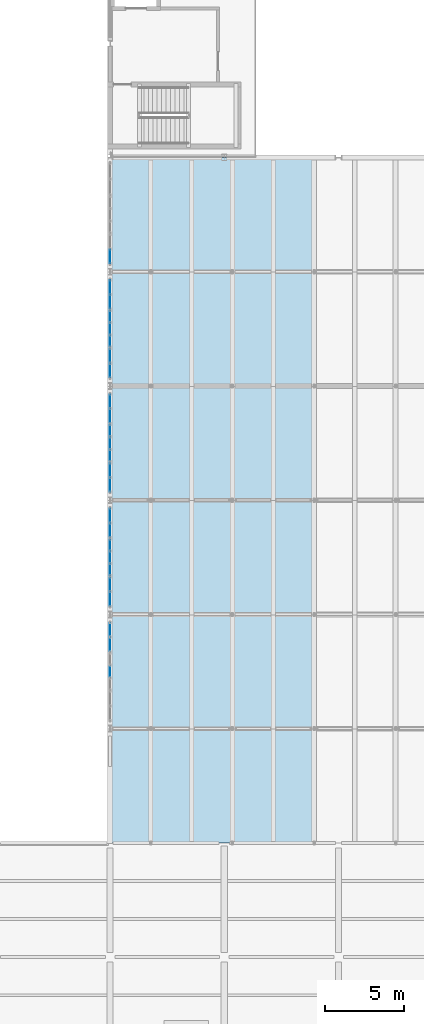
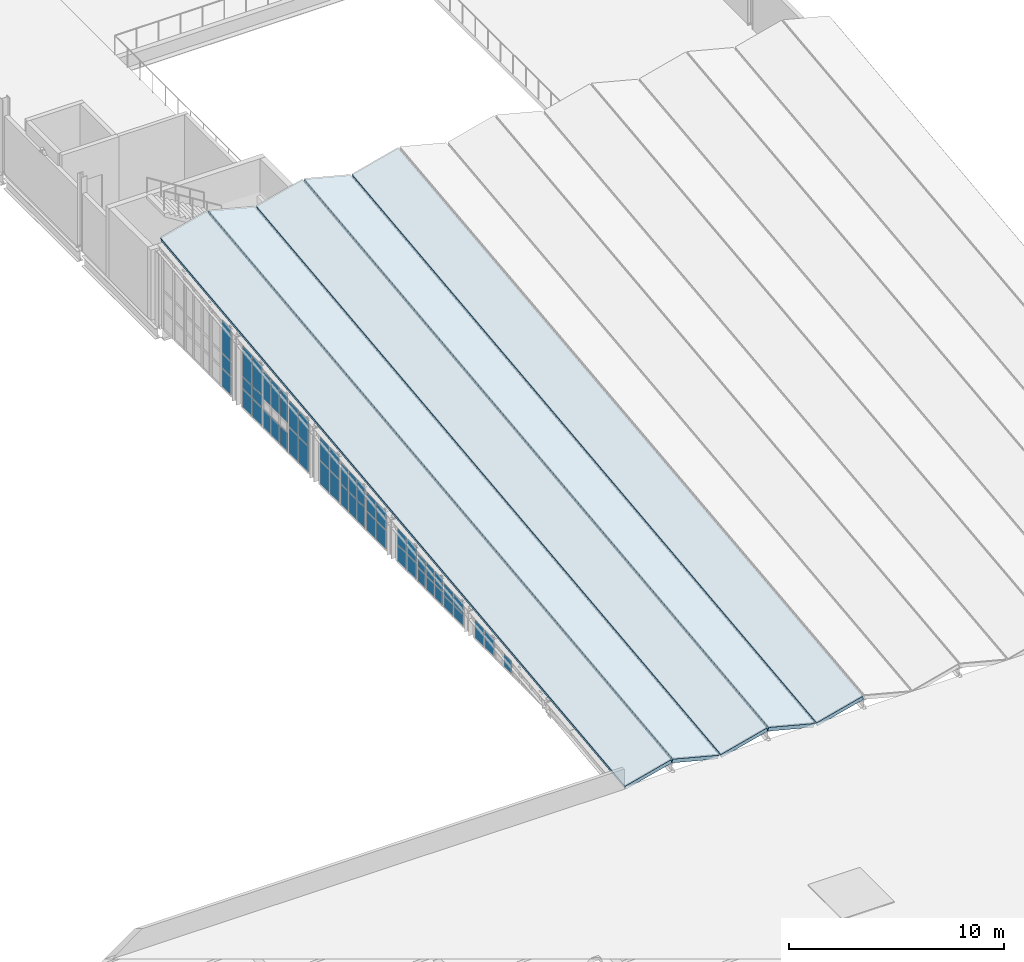
# One storey, part 30 of 48: 50 plates, 5 slabs, 13 elements without a shape of their own.
"""IFC4 building model written with IfcOpenShell, lengths in metres."""

from ifc_helpers import new_model, si_unit, direction, frame, origin, origin_2d, place, context, subcontext, project, spatial, polyline, rectangle, outline, extrude, material, layer, layer_set, type_object, element, aggregate, save


model = new_model("IFC4")

# Units and contexts
model_context = context("Model", 3, precision=1e-05, world=origin(), true_north=direction((0.0, 1.0)))
body_context = subcontext(model_context, "Body", "Model", "MODEL_VIEW")
ifc_project = project(units=[si_unit("LENGTHUNIT", "METRE"), si_unit("AREAUNIT", "SQUARE_METRE"), si_unit("VOLUMEUNIT", "CUBIC_METRE"), si_unit("PLANEANGLEUNIT", "RADIAN"), si_unit("MASSUNIT", "GRAM", prefix="KILO"), si_unit("THERMODYNAMICTEMPERATUREUNIT", "KELVIN"), si_unit("POWERUNIT", "WATT")], contexts=[model_context])

# Site, building, storey
site_placement = place(None, origin())
site = spatial("IfcSite", under=ifc_project, at=site_placement, CompositionType="ELEMENT")
building_placement = place(site_placement, origin())
building = spatial("IfcBuilding", under=site, at=building_placement, Name="Kaldorven Railside Theatre", CompositionType="ELEMENT")
storey_placement = place(building_placement, frame((0.0, 0.0, 18.89990234375)))
storey = spatial("IfcBuildingStorey", under=building, at=storey_placement, Name="L04", CompositionType="ELEMENT", Elevation=18.89990234375)

# Curtain wall, plate
ifc_material_1 = material(Name="Low-E laminated solar-control glass", Category="glass")
ifc_layer_1 = layer(ifc_material_1, 0.159912109375, Name="Low-E laminated solar-control glass")
ifc_layer_set_1 = layer_set([ifc_layer_1], Name="Low-E laminated solar-control glass")
curtain_wall_type_1 = type_object("IfcCurtainWallType", Name="CWT-27", PredefinedType="USERDEFINED", material=ifc_layer_set_1)
curtain_wall_1_placement = place(storey_placement, origin())
curtain_wall_1 = element("IfcCurtainWall", 1, at=curtain_wall_1_placement, inside=storey, type_object=curtain_wall_type_1, Name="Main Theatre West Eave Clerestory CWG-003", ObjectType="FLUTED GLAZING", PredefinedType="USERDEFINED")
ifc_layer_2 = layer(ifc_material_1, 0.028076171875, Name="Low-E laminated solar-control glass")
ifc_layer_set_2 = layer_set([ifc_layer_2], Name="Low-E laminated solar-control glass")
plate_type = type_object("IfcPlateType", Name="CWP-GLZ28", PredefinedType="CURTAIN_PANEL", material=ifc_layer_set_2)
plate_1_placement = place(storey_placement, frame((87.199951171875, 51.60009765625, 0.080078125), z_axis=(0.0, 0.0, 1.0), x_axis=(0.0, 1.0, 0.0)))
plate_1 = element("IfcPlate", 2, at=plate_1_placement, type_object=plate_type, Name="CWG-003 panel 2.1", PredefinedType="CURTAIN_PANEL", context=body_context, shape_type="SweptSolid", body=[
    extrude(rectangle(XDim=0.719970703125, YDim=0.028076171875, at=origin_2d()), origin(), (0.0, 0.0, 1.0), 0.719970703125),
])
aggregate(curtain_wall_1, [plate_1])

# Curtain wall, plates
ifc_layer_3 = layer(ifc_material_1, 0.159912109375, Name="Low-E laminated solar-control glass")
ifc_layer_set_3 = layer_set([ifc_layer_3], Name="Low-E laminated solar-control glass")
curtain_wall_type_2 = type_object("IfcCurtainWallType", Name="CWT-28", PredefinedType="USERDEFINED", material=ifc_layer_set_3)
curtain_wall_2_placement = place(storey_placement, origin())
curtain_wall_2 = element("IfcCurtainWall", 3, at=curtain_wall_2_placement, inside=storey, type_object=curtain_wall_type_2, Name="Main Theatre West Eave Clerestory CWG-004", ObjectType="FLUTED GLAZING", PredefinedType="USERDEFINED")
plate_2_placement = place(storey_placement, frame((87.199951171875, 53.3037109375, 0.080078125), z_axis=(0.0, 0.0, 1.0), x_axis=(0.0, 1.0, 0.0)))
plate_2 = element("IfcPlate", 4, at=plate_2_placement, type_object=plate_type, Name="CWG-004 panel 1.1", PredefinedType="CURTAIN_PANEL", context=body_context, shape_type="SweptSolid", body=[
    extrude(rectangle(XDim=0.847412109375, YDim=0.028076171875, at=origin_2d()), origin(), (0.0, 0.0, 1.0), 1.0),
])
plate_3_placement = place(storey_placement, frame((87.199951171875, 54.231201171875, 0.080078125), z_axis=(0.0, 0.0, 1.0), x_axis=(0.0, 1.0, 0.0)))
plate_3 = element("IfcPlate", 5, at=plate_3_placement, type_object=plate_type, Name="CWG-004 panel 2.1", PredefinedType="CURTAIN_PANEL", context=body_context, shape_type="SweptSolid", body=[
    extrude(rectangle(XDim=0.847412109375, YDim=0.028076171875, at=origin_2d()), origin(), (0.0, 0.0, 1.0), 1.0),
])
aggregate(curtain_wall_2, [plate_2, plate_3])

ifc_layer_4 = layer(ifc_material_1, 0.159912109375, Name="Low-E laminated solar-control glass")
ifc_layer_set_4 = layer_set([ifc_layer_4], Name="Low-E laminated solar-control glass")
curtain_wall_type_3 = type_object("IfcCurtainWallType", Name="CWT-29", PredefinedType="USERDEFINED", material=ifc_layer_set_4)
curtain_wall_3_placement = place(storey_placement, origin())
curtain_wall_3 = element("IfcCurtainWall", 6, at=curtain_wall_3_placement, inside=storey, type_object=curtain_wall_type_3, Name="Main Theatre West Eave Clerestory CWG-005", ObjectType="FLUTED GLAZING", PredefinedType="USERDEFINED")
plate_4_placement = place(storey_placement, frame((87.199951171875, 56.168701171875, 0.080078125), z_axis=(0.0, 0.0, 1.0), x_axis=(0.0, 1.0, 0.0)))
plate_4 = element("IfcPlate", 7, at=plate_4_placement, type_object=plate_type, Name="CWG-005 panel 1.1", PredefinedType="CURTAIN_PANEL", context=body_context, shape_type="SweptSolid", body=[
    extrude(rectangle(XDim=0.847412109375, YDim=0.028076171875, at=origin_2d()), origin(), (0.0, 0.0, 1.0), 0.6298828125),
])
plate_5_placement = place(storey_placement, frame((87.199951171875, 56.168701171875, 0.770263671875), z_axis=(0.0, 0.0, 1.0), x_axis=(0.0, 1.0, 0.0)))
plate_5 = element("IfcPlate", 8, at=plate_5_placement, type_object=plate_type, Name="CWG-005 panel 1.2", PredefinedType="CURTAIN_PANEL", context=body_context, shape_type="SweptSolid", body=[
    extrude(rectangle(XDim=0.847412109375, YDim=0.028076171875, at=origin_2d()), origin(), (0.0, 0.0, 1.0), 0.6298828125),
])
plate_6_placement = place(storey_placement, frame((87.199951171875, 57.09619140625, 0.080078125), z_axis=(0.0, 0.0, 1.0), x_axis=(0.0, 1.0, 0.0)))
plate_6 = element("IfcPlate", 9, at=plate_6_placement, type_object=plate_type, Name="CWG-005 panel 2.1", PredefinedType="CURTAIN_PANEL", context=body_context, shape_type="SweptSolid", body=[
    extrude(rectangle(XDim=0.847412109375, YDim=0.028076171875, at=origin_2d()), origin(), (0.0, 0.0, 1.0), 0.6298828125),
])
plate_7_placement = place(storey_placement, frame((87.199951171875, 57.09619140625, 0.770263671875), z_axis=(0.0, 0.0, 1.0), x_axis=(0.0, 1.0, 0.0)))
plate_7 = element("IfcPlate", 10, at=plate_7_placement, type_object=plate_type, Name="CWG-005 panel 2.2", PredefinedType="CURTAIN_PANEL", context=body_context, shape_type="SweptSolid", body=[
    extrude(rectangle(XDim=0.847412109375, YDim=0.028076171875, at=origin_2d()), origin(), (0.0, 0.0, 1.0), 0.6298828125),
])
aggregate(curtain_wall_3, [plate_4, plate_5, plate_6, plate_7])

ifc_layer_5 = layer(ifc_material_1, 0.159912109375, Name="Low-E laminated solar-control glass")
ifc_layer_set_5 = layer_set([ifc_layer_5], Name="Low-E laminated solar-control glass")
curtain_wall_type_4 = type_object("IfcCurtainWallType", Name="CWT-30", PredefinedType="USERDEFINED", material=ifc_layer_set_5)
curtain_wall_4_placement = place(storey_placement, origin())
curtain_wall_4 = element("IfcCurtainWall", 11, at=curtain_wall_4_placement, inside=storey, type_object=curtain_wall_type_4, Name="Main Theatre West Eave Clerestory CWG-006", ObjectType="FLUTED GLAZING", PredefinedType="USERDEFINED")
plate_8_placement = place(storey_placement, frame((87.199951171875, 58.02001953125, 0.080078125), z_axis=(0.0, 0.0, 1.0), x_axis=(0.0, 1.0, 0.0)))
plate_8 = element("IfcPlate", 12, at=plate_8_placement, type_object=plate_type, Name="CWG-006 panel 1.1", PredefinedType="CURTAIN_PANEL", context=body_context, shape_type="SweptSolid", body=[
    extrude(rectangle(XDim=0.679931640625, YDim=0.028076171875, at=origin_2d()), origin(), (0.0, 0.0, 1.0), 0.739990234375),
])
plate_9_placement = place(storey_placement, frame((87.199951171875, 58.02001953125, 0.8798828125), z_axis=(0.0, 0.0, 1.0), x_axis=(0.0, 1.0, 0.0)))
plate_9 = element("IfcPlate", 13, at=plate_9_placement, type_object=plate_type, Name="CWG-006 panel 1.2", PredefinedType="CURTAIN_PANEL", context=body_context, shape_type="SweptSolid", body=[
    extrude(rectangle(XDim=0.679931640625, YDim=0.028076171875, at=origin_2d()), origin(), (0.0, 0.0, 1.0), 0.739990234375),
])
plate_10_placement = place(storey_placement, frame((87.199951171875, 58.800048828125, 0.080078125), z_axis=(0.0, 0.0, 1.0), x_axis=(0.0, 1.0, 0.0)))
plate_10 = element("IfcPlate", 14, at=plate_10_placement, type_object=plate_type, Name="CWG-006 panel 2.1", PredefinedType="CURTAIN_PANEL", context=body_context, shape_type="SweptSolid", body=[
    extrude(rectangle(XDim=0.719970703125, YDim=0.028076171875, at=origin_2d()), origin(), (0.0, 0.0, 1.0), 0.739990234375),
])
plate_11_placement = place(storey_placement, frame((87.199951171875, 58.800048828125, 0.8798828125), z_axis=(0.0, 0.0, 1.0), x_axis=(0.0, 1.0, 0.0)))
plate_11 = element("IfcPlate", 15, at=plate_11_placement, type_object=plate_type, Name="CWG-006 panel 2.2", PredefinedType="CURTAIN_PANEL", context=body_context, shape_type="SweptSolid", body=[
    extrude(rectangle(XDim=0.719970703125, YDim=0.028076171875, at=origin_2d()), origin(), (0.0, 0.0, 1.0), 0.739990234375),
])
plate_12_placement = place(storey_placement, frame((87.199951171875, 59.580078125, 0.080078125), z_axis=(0.0, 0.0, 1.0), x_axis=(0.0, 1.0, 0.0)))
plate_12 = element("IfcPlate", 16, at=plate_12_placement, type_object=plate_type, Name="CWG-006 panel 3.1", PredefinedType="CURTAIN_PANEL", context=body_context, shape_type="SweptSolid", body=[
    extrude(rectangle(XDim=0.679931640625, YDim=0.028076171875, at=origin_2d()), origin(), (0.0, 0.0, 1.0), 0.739990234375),
])
plate_13_placement = place(storey_placement, frame((87.199951171875, 59.580078125, 0.8798828125), z_axis=(0.0, 0.0, 1.0), x_axis=(0.0, 1.0, 0.0)))
plate_13 = element("IfcPlate", 17, at=plate_13_placement, type_object=plate_type, Name="CWG-006 panel 3.2", PredefinedType="CURTAIN_PANEL", context=body_context, shape_type="SweptSolid", body=[
    extrude(rectangle(XDim=0.679931640625, YDim=0.028076171875, at=origin_2d()), origin(), (0.0, 0.0, 1.0), 0.739990234375),
])
aggregate(curtain_wall_4, [plate_8, plate_9, plate_10, plate_11, plate_12, plate_13])

ifc_layer_6 = layer(ifc_material_1, 0.159912109375, Name="Low-E laminated solar-control glass")
ifc_layer_set_6 = layer_set([ifc_layer_6], Name="Low-E laminated solar-control glass")
curtain_wall_type_5 = type_object("IfcCurtainWallType", Name="CWT-31", PredefinedType="USERDEFINED", material=ifc_layer_set_6)
curtain_wall_5_placement = place(storey_placement, origin())
curtain_wall_5 = element("IfcCurtainWall", 18, at=curtain_wall_5_placement, inside=storey, type_object=curtain_wall_type_5, Name="Main Theatre West Eave Clerestory CWG-007", ObjectType="FLUTED GLAZING", PredefinedType="USERDEFINED")
plate_14_placement = place(storey_placement, frame((87.199951171875, 60.503662109375, 0.080078125), z_axis=(0.0, 0.0, 1.0), x_axis=(0.0, 1.0, 0.0)))
plate_14 = element("IfcPlate", 19, at=plate_14_placement, type_object=plate_type, Name="CWG-007 panel 1.1", PredefinedType="CURTAIN_PANEL", context=body_context, shape_type="SweptSolid", body=[
    extrude(rectangle(XDim=0.847412109375, YDim=0.028076171875, at=origin_2d()), origin(), (0.0, 0.0, 1.0), 0.8798828125),
])
plate_15_placement = place(storey_placement, frame((87.199951171875, 60.503662109375, 1.020263671875), z_axis=(0.0, 0.0, 1.0), x_axis=(0.0, 1.0, 0.0)))
plate_15 = element("IfcPlate", 20, at=plate_15_placement, type_object=plate_type, Name="CWG-007 panel 1.2", PredefinedType="CURTAIN_PANEL", context=body_context, shape_type="SweptSolid", body=[
    extrude(rectangle(XDim=0.847412109375, YDim=0.028076171875, at=origin_2d()), origin(), (0.0, 0.0, 1.0), 0.8798828125),
])
plate_16_placement = place(storey_placement, frame((87.199951171875, 61.43115234375, 0.080078125), z_axis=(0.0, 0.0, 1.0), x_axis=(0.0, 1.0, 0.0)))
plate_16 = element("IfcPlate", 21, at=plate_16_placement, type_object=plate_type, Name="CWG-007 panel 2.1", PredefinedType="CURTAIN_PANEL", context=body_context, shape_type="SweptSolid", body=[
    extrude(rectangle(XDim=0.847412109375, YDim=0.028076171875, at=origin_2d()), origin(), (0.0, 0.0, 1.0), 0.8798828125),
])
plate_17_placement = place(storey_placement, frame((87.199951171875, 61.43115234375, 1.020263671875), z_axis=(0.0, 0.0, 1.0), x_axis=(0.0, 1.0, 0.0)))
plate_17 = element("IfcPlate", 22, at=plate_17_placement, type_object=plate_type, Name="CWG-007 panel 2.2", PredefinedType="CURTAIN_PANEL", context=body_context, shape_type="SweptSolid", body=[
    extrude(rectangle(XDim=0.847412109375, YDim=0.028076171875, at=origin_2d()), origin(), (0.0, 0.0, 1.0), 0.8798828125),
])
aggregate(curtain_wall_5, [plate_14, plate_15, plate_16, plate_17])

ifc_layer_7 = layer(ifc_material_1, 0.159912109375, Name="Low-E laminated solar-control glass")
ifc_layer_set_7 = layer_set([ifc_layer_7], Name="Low-E laminated solar-control glass")
curtain_wall_type_6 = type_object("IfcCurtainWallType", Name="CWT-32", PredefinedType="USERDEFINED", material=ifc_layer_set_7)
curtain_wall_6_placement = place(storey_placement, origin())
curtain_wall_6 = element("IfcCurtainWall", 23, at=curtain_wall_6_placement, inside=storey, type_object=curtain_wall_type_6, Name="Main Theatre West Eave Clerestory CWG-008", ObjectType="FLUTED GLAZING", PredefinedType="USERDEFINED")
plate_18_placement = place(storey_placement, frame((87.199951171875, 63.36865234375, 0.080078125), z_axis=(0.0, 0.0, 1.0), x_axis=(0.0, 1.0, 0.0)))
plate_18 = element("IfcPlate", 24, at=plate_18_placement, type_object=plate_type, Name="CWG-008 panel 1.1", PredefinedType="CURTAIN_PANEL", context=body_context, shape_type="SweptSolid", body=[
    extrude(rectangle(XDim=0.847412109375, YDim=0.028076171875, at=origin_2d()), origin(), (0.0, 0.0, 1.0), 1.0400390625),
])
plate_19_placement = place(storey_placement, frame((87.199951171875, 63.36865234375, 1.18017578125), z_axis=(0.0, 0.0, 1.0), x_axis=(0.0, 1.0, 0.0)))
plate_19 = element("IfcPlate", 25, at=plate_19_placement, type_object=plate_type, Name="CWG-008 panel 1.2", PredefinedType="CURTAIN_PANEL", context=body_context, shape_type="SweptSolid", body=[
    extrude(rectangle(XDim=0.847412109375, YDim=0.028076171875, at=origin_2d()), origin(), (0.0, 0.0, 1.0), 1.0400390625),
])
plate_20_placement = place(storey_placement, frame((87.199951171875, 64.296142578125, 0.080078125), z_axis=(0.0, 0.0, 1.0), x_axis=(0.0, 1.0, 0.0)))
plate_20 = element("IfcPlate", 26, at=plate_20_placement, type_object=plate_type, Name="CWG-008 panel 2.1", PredefinedType="CURTAIN_PANEL", context=body_context, shape_type="SweptSolid", body=[
    extrude(rectangle(XDim=0.847412109375, YDim=0.028076171875, at=origin_2d()), origin(), (0.0, 0.0, 1.0), 1.0400390625),
])
plate_21_placement = place(storey_placement, frame((87.199951171875, 64.296142578125, 1.18017578125), z_axis=(0.0, 0.0, 1.0), x_axis=(0.0, 1.0, 0.0)))
plate_21 = element("IfcPlate", 27, at=plate_21_placement, type_object=plate_type, Name="CWG-008 panel 2.2", PredefinedType="CURTAIN_PANEL", context=body_context, shape_type="SweptSolid", body=[
    extrude(rectangle(XDim=0.847412109375, YDim=0.028076171875, at=origin_2d()), origin(), (0.0, 0.0, 1.0), 1.0400390625),
])
aggregate(curtain_wall_6, [plate_18, plate_19, plate_20, plate_21])

ifc_layer_8 = layer(ifc_material_1, 0.159912109375, Name="Low-E laminated solar-control glass")
ifc_layer_set_8 = layer_set([ifc_layer_8], Name="Low-E laminated solar-control glass")
curtain_wall_type_7 = type_object("IfcCurtainWallType", Name="CWT-33", PredefinedType="USERDEFINED", material=ifc_layer_set_8)
curtain_wall_7_placement = place(storey_placement, origin())
curtain_wall_7 = element("IfcCurtainWall", 28, at=curtain_wall_7_placement, inside=storey, type_object=curtain_wall_type_7, Name="Main Theatre West Eave Clerestory CWG-009", ObjectType="FLUTED GLAZING", PredefinedType="USERDEFINED")
plate_22_placement = place(storey_placement, frame((87.199951171875, 65.219970703125, 0.080078125), z_axis=(0.0, 0.0, 1.0), x_axis=(0.0, 1.0, 0.0)))
plate_22 = element("IfcPlate", 29, at=plate_22_placement, type_object=plate_type, Name="CWG-009 panel 1.1", PredefinedType="CURTAIN_PANEL", context=body_context, shape_type="SweptSolid", body=[
    extrude(rectangle(XDim=0.679931640625, YDim=0.028076171875, at=origin_2d()), origin(), (0.0, 0.0, 1.0), 1.14990234375),
])
plate_23_placement = place(storey_placement, frame((87.199951171875, 65.219970703125, 1.2900390625), z_axis=(0.0, 0.0, 1.0), x_axis=(0.0, 1.0, 0.0)))
plate_23 = element("IfcPlate", 30, at=plate_23_placement, type_object=plate_type, Name="CWG-009 panel 1.2", PredefinedType="CURTAIN_PANEL", context=body_context, shape_type="SweptSolid", body=[
    extrude(rectangle(XDim=0.679931640625, YDim=0.028076171875, at=origin_2d()), origin(), (0.0, 0.0, 1.0), 1.14990234375),
])
plate_24_placement = place(storey_placement, frame((87.199951171875, 66.0, 0.080078125), z_axis=(0.0, 0.0, 1.0), x_axis=(0.0, 1.0, 0.0)))
plate_24 = element("IfcPlate", 31, at=plate_24_placement, type_object=plate_type, Name="CWG-009 panel 2.1", PredefinedType="CURTAIN_PANEL", context=body_context, shape_type="SweptSolid", body=[
    extrude(rectangle(XDim=0.719970703125, YDim=0.028076171875, at=origin_2d()), origin(), (0.0, 0.0, 1.0), 1.14990234375),
])
plate_25_placement = place(storey_placement, frame((87.199951171875, 66.0, 1.2900390625), z_axis=(0.0, 0.0, 1.0), x_axis=(0.0, 1.0, 0.0)))
plate_25 = element("IfcPlate", 32, at=plate_25_placement, type_object=plate_type, Name="CWG-009 panel 2.2", PredefinedType="CURTAIN_PANEL", context=body_context, shape_type="SweptSolid", body=[
    extrude(rectangle(XDim=0.719970703125, YDim=0.028076171875, at=origin_2d()), origin(), (0.0, 0.0, 1.0), 1.14990234375),
])
plate_26_placement = place(storey_placement, frame((87.199951171875, 66.780029296875, 0.080078125), z_axis=(0.0, 0.0, 1.0), x_axis=(0.0, 1.0, 0.0)))
plate_26 = element("IfcPlate", 33, at=plate_26_placement, type_object=plate_type, Name="CWG-009 panel 3.1", PredefinedType="CURTAIN_PANEL", context=body_context, shape_type="SweptSolid", body=[
    extrude(rectangle(XDim=0.679931640625, YDim=0.028076171875, at=origin_2d()), origin(), (0.0, 0.0, 1.0), 1.14990234375),
])
plate_27_placement = place(storey_placement, frame((87.199951171875, 66.780029296875, 1.2900390625), z_axis=(0.0, 0.0, 1.0), x_axis=(0.0, 1.0, 0.0)))
plate_27 = element("IfcPlate", 34, at=plate_27_placement, type_object=plate_type, Name="CWG-009 panel 3.2", PredefinedType="CURTAIN_PANEL", context=body_context, shape_type="SweptSolid", body=[
    extrude(rectangle(XDim=0.679931640625, YDim=0.028076171875, at=origin_2d()), origin(), (0.0, 0.0, 1.0), 1.14990234375),
])
aggregate(curtain_wall_7, [plate_22, plate_23, plate_24, plate_25, plate_26, plate_27])

ifc_layer_9 = layer(ifc_material_1, 0.159912109375, Name="Low-E laminated solar-control glass")
ifc_layer_set_9 = layer_set([ifc_layer_9], Name="Low-E laminated solar-control glass")
curtain_wall_type_8 = type_object("IfcCurtainWallType", Name="CWT-34", PredefinedType="USERDEFINED", material=ifc_layer_set_9)
curtain_wall_8_placement = place(storey_placement, origin())
curtain_wall_8 = element("IfcCurtainWall", 35, at=curtain_wall_8_placement, inside=storey, type_object=curtain_wall_type_8, Name="Main Theatre West Eave Clerestory CWG-010", ObjectType="FLUTED GLAZING", PredefinedType="USERDEFINED")
plate_28_placement = place(storey_placement, frame((87.199951171875, 67.703857421875, 0.080078125), z_axis=(0.0, 0.0, 1.0), x_axis=(0.0, 1.0, 0.0)))
plate_28 = element("IfcPlate", 36, at=plate_28_placement, type_object=plate_type, Name="CWG-010 panel 1.1", PredefinedType="CURTAIN_PANEL", context=body_context, shape_type="SweptSolid", body=[
    extrude(rectangle(XDim=0.847412109375, YDim=0.028076171875, at=origin_2d()), origin(), (0.0, 0.0, 1.0), 1.2900390625),
])
plate_29_placement = place(storey_placement, frame((87.199951171875, 67.703857421875, 1.43017578125), z_axis=(0.0, 0.0, 1.0), x_axis=(0.0, 1.0, 0.0)))
plate_29 = element("IfcPlate", 37, at=plate_29_placement, type_object=plate_type, Name="CWG-010 panel 1.2", PredefinedType="CURTAIN_PANEL", context=body_context, shape_type="SweptSolid", body=[
    extrude(rectangle(XDim=0.847412109375, YDim=0.028076171875, at=origin_2d()), origin(), (0.0, 0.0, 1.0), 1.2900390625),
])
plate_30_placement = place(storey_placement, frame((87.199951171875, 68.63134765625, 0.080078125), z_axis=(0.0, 0.0, 1.0), x_axis=(0.0, 1.0, 0.0)))
plate_30 = element("IfcPlate", 38, at=plate_30_placement, type_object=plate_type, Name="CWG-010 panel 2.1", PredefinedType="CURTAIN_PANEL", context=body_context, shape_type="SweptSolid", body=[
    extrude(rectangle(XDim=0.847412109375, YDim=0.028076171875, at=origin_2d()), origin(), (0.0, 0.0, 1.0), 1.2900390625),
])
plate_31_placement = place(storey_placement, frame((87.199951171875, 68.63134765625, 1.43017578125), z_axis=(0.0, 0.0, 1.0), x_axis=(0.0, 1.0, 0.0)))
plate_31 = element("IfcPlate", 39, at=plate_31_placement, type_object=plate_type, Name="CWG-010 panel 2.2", PredefinedType="CURTAIN_PANEL", context=body_context, shape_type="SweptSolid", body=[
    extrude(rectangle(XDim=0.847412109375, YDim=0.028076171875, at=origin_2d()), origin(), (0.0, 0.0, 1.0), 1.2900390625),
])
aggregate(curtain_wall_8, [plate_28, plate_29, plate_30, plate_31])

ifc_layer_10 = layer(ifc_material_1, 0.159912109375, Name="Low-E laminated solar-control glass")
ifc_layer_set_10 = layer_set([ifc_layer_10], Name="Low-E laminated solar-control glass")
curtain_wall_type_9 = type_object("IfcCurtainWallType", Name="CWT-35", PredefinedType="USERDEFINED", material=ifc_layer_set_10)
curtain_wall_9_placement = place(storey_placement, origin())
curtain_wall_9 = element("IfcCurtainWall", 40, at=curtain_wall_9_placement, inside=storey, type_object=curtain_wall_type_9, Name="Main Theatre West Eave Clerestory CWG-011", ObjectType="FLUTED GLAZING", PredefinedType="USERDEFINED")
plate_32_placement = place(storey_placement, frame((87.199951171875, 70.56884765625, 0.080078125), z_axis=(0.0, 0.0, 1.0), x_axis=(0.0, 1.0, 0.0)))
plate_32 = element("IfcPlate", 41, at=plate_32_placement, type_object=plate_type, Name="CWG-011 panel 1.1", PredefinedType="CURTAIN_PANEL", context=body_context, shape_type="SweptSolid", body=[
    extrude(rectangle(XDim=0.847412109375, YDim=0.028076171875, at=origin_2d()), origin(), (0.0, 0.0, 1.0), 1.449951171875),
])
plate_33_placement = place(storey_placement, frame((87.199951171875, 70.56884765625, 1.59033203125), z_axis=(0.0, 0.0, 1.0), x_axis=(0.0, 1.0, 0.0)))
plate_33 = element("IfcPlate", 42, at=plate_33_placement, type_object=plate_type, Name="CWG-011 panel 1.2", PredefinedType="CURTAIN_PANEL", context=body_context, shape_type="SweptSolid", body=[
    extrude(rectangle(XDim=0.847412109375, YDim=0.028076171875, at=origin_2d()), origin(), (0.0, 0.0, 1.0), 1.449951171875),
])
plate_34_placement = place(storey_placement, frame((87.199951171875, 71.496337890625, 0.080078125), z_axis=(0.0, 0.0, 1.0), x_axis=(0.0, 1.0, 0.0)))
plate_34 = element("IfcPlate", 43, at=plate_34_placement, type_object=plate_type, Name="CWG-011 panel 2.1", PredefinedType="CURTAIN_PANEL", context=body_context, shape_type="SweptSolid", body=[
    extrude(rectangle(XDim=0.847412109375, YDim=0.028076171875, at=origin_2d()), origin(), (0.0, 0.0, 1.0), 1.449951171875),
])
plate_35_placement = place(storey_placement, frame((87.199951171875, 71.496337890625, 1.59033203125), z_axis=(0.0, 0.0, 1.0), x_axis=(0.0, 1.0, 0.0)))
plate_35 = element("IfcPlate", 44, at=plate_35_placement, type_object=plate_type, Name="CWG-011 panel 2.2", PredefinedType="CURTAIN_PANEL", context=body_context, shape_type="SweptSolid", body=[
    extrude(rectangle(XDim=0.847412109375, YDim=0.028076171875, at=origin_2d()), origin(), (0.0, 0.0, 1.0), 1.449951171875),
])
aggregate(curtain_wall_9, [plate_32, plate_33, plate_34, plate_35])

ifc_layer_11 = layer(ifc_material_1, 0.159912109375, Name="Low-E laminated solar-control glass")
ifc_layer_set_11 = layer_set([ifc_layer_11], Name="Low-E laminated solar-control glass")
curtain_wall_type_10 = type_object("IfcCurtainWallType", Name="CWT-36", PredefinedType="USERDEFINED", material=ifc_layer_set_11)
curtain_wall_10_placement = place(storey_placement, origin())
curtain_wall_10 = element("IfcCurtainWall", 45, at=curtain_wall_10_placement, inside=storey, type_object=curtain_wall_type_10, Name="Main Theatre West Eave Clerestory CWG-012", ObjectType="FLUTED GLAZING", PredefinedType="USERDEFINED")
plate_36_placement = place(storey_placement, frame((87.199951171875, 72.419921875, 0.080078125), z_axis=(0.0, 0.0, 1.0), x_axis=(0.0, 1.0, 0.0)))
plate_36 = element("IfcPlate", 46, at=plate_36_placement, type_object=plate_type, Name="CWG-012 panel 1.1", PredefinedType="CURTAIN_PANEL", context=body_context, shape_type="SweptSolid", body=[
    extrude(rectangle(XDim=0.679931640625, YDim=0.028076171875, at=origin_2d()), origin(), (0.0, 0.0, 1.0), 1.010009765625),
])
plate_37_placement = place(storey_placement, frame((87.199951171875, 72.419921875, 1.699951171875), z_axis=(0.0, 0.0, 1.0), x_axis=(0.0, 1.0, 0.0)))
plate_37 = element("IfcPlate", 47, at=plate_37_placement, type_object=plate_type, Name="CWG-012 panel 1.3", PredefinedType="CURTAIN_PANEL", context=body_context, shape_type="SweptSolid", body=[
    extrude(rectangle(XDim=0.679931640625, YDim=0.028076171875, at=origin_2d()), origin(), (0.0, 0.0, 1.0), 1.56005859375),
])
plate_38_placement = place(storey_placement, frame((87.199951171875, 73.199951171875, 0.080078125), z_axis=(0.0, 0.0, 1.0), x_axis=(0.0, 1.0, 0.0)))
plate_38 = element("IfcPlate", 48, at=plate_38_placement, type_object=plate_type, Name="CWG-012 panel 2.1", PredefinedType="CURTAIN_PANEL", context=body_context, shape_type="SweptSolid", body=[
    extrude(rectangle(XDim=0.719970703125, YDim=0.028076171875, at=origin_2d()), origin(), (0.0, 0.0, 1.0), 1.010009765625),
])
plate_39_placement = place(storey_placement, frame((87.199951171875, 73.199951171875, 1.699951171875), z_axis=(0.0, 0.0, 1.0), x_axis=(0.0, 1.0, 0.0)))
plate_39 = element("IfcPlate", 49, at=plate_39_placement, type_object=plate_type, Name="CWG-012 panel 2.3", PredefinedType="CURTAIN_PANEL", context=body_context, shape_type="SweptSolid", body=[
    extrude(rectangle(XDim=0.719970703125, YDim=0.028076171875, at=origin_2d()), origin(), (0.0, 0.0, 1.0), 1.56005859375),
])
plate_40_placement = place(storey_placement, frame((87.199951171875, 73.97998046875, 0.080078125), z_axis=(0.0, 0.0, 1.0), x_axis=(0.0, 1.0, 0.0)))
plate_40 = element("IfcPlate", 50, at=plate_40_placement, type_object=plate_type, Name="CWG-012 panel 3.1", PredefinedType="CURTAIN_PANEL", context=body_context, shape_type="SweptSolid", body=[
    extrude(rectangle(XDim=0.679931640625, YDim=0.028076171875, at=origin_2d()), origin(), (0.0, 0.0, 1.0), 1.010009765625),
])
plate_41_placement = place(storey_placement, frame((87.199951171875, 73.97998046875, 1.699951171875), z_axis=(0.0, 0.0, 1.0), x_axis=(0.0, 1.0, 0.0)))
plate_41 = element("IfcPlate", 51, at=plate_41_placement, type_object=plate_type, Name="CWG-012 panel 3.3", PredefinedType="CURTAIN_PANEL", context=body_context, shape_type="SweptSolid", body=[
    extrude(rectangle(XDim=0.679931640625, YDim=0.028076171875, at=origin_2d()), origin(), (0.0, 0.0, 1.0), 1.56005859375),
])
aggregate(curtain_wall_10, [plate_36, plate_37, plate_38, plate_39, plate_40, plate_41])

ifc_layer_12 = layer(ifc_material_1, 0.159912109375, Name="Low-E laminated solar-control glass")
ifc_layer_set_12 = layer_set([ifc_layer_12], Name="Low-E laminated solar-control glass")
curtain_wall_type_11 = type_object("IfcCurtainWallType", Name="CWT-37", PredefinedType="USERDEFINED", material=ifc_layer_set_12)
curtain_wall_11_placement = place(storey_placement, origin())
curtain_wall_11 = element("IfcCurtainWall", 52, at=curtain_wall_11_placement, inside=storey, type_object=curtain_wall_type_11, Name="Main Theatre West Eave Clerestory CWG-013", ObjectType="FLUTED GLAZING", PredefinedType="USERDEFINED")
plate_42_placement = place(storey_placement, frame((87.199951171875, 74.90380859375, 0.080078125), z_axis=(0.0, 0.0, 1.0), x_axis=(0.0, 1.0, 0.0)))
plate_42 = element("IfcPlate", 53, at=plate_42_placement, type_object=plate_type, Name="CWG-013 panel 1.1", PredefinedType="CURTAIN_PANEL", context=body_context, shape_type="SweptSolid", body=[
    extrude(rectangle(XDim=0.847412109375, YDim=0.028076171875, at=origin_2d()), origin(), (0.0, 0.0, 1.0), 1.010009765625),
])
plate_43_placement = place(storey_placement, frame((87.199951171875, 74.90380859375, 1.150146484375), z_axis=(0.0, 0.0, 1.0), x_axis=(0.0, 1.0, 0.0)))
plate_43 = element("IfcPlate", 54, at=plate_43_placement, type_object=plate_type, Name="CWG-013 panel 1.2", PredefinedType="CURTAIN_PANEL", context=body_context, shape_type="SweptSolid", body=[
    extrude(rectangle(XDim=0.847412109375, YDim=0.028076171875, at=origin_2d()), origin(), (0.0, 0.0, 1.0), 0.6298828125),
])
plate_44_placement = place(storey_placement, frame((87.199951171875, 74.90380859375, 1.84033203125), z_axis=(0.0, 0.0, 1.0), x_axis=(0.0, 1.0, 0.0)))
plate_44 = element("IfcPlate", 55, at=plate_44_placement, type_object=plate_type, Name="CWG-013 panel 1.3", PredefinedType="CURTAIN_PANEL", context=body_context, shape_type="SweptSolid", body=[
    extrude(rectangle(XDim=0.847412109375, YDim=0.028076171875, at=origin_2d()), origin(), (0.0, 0.0, 1.0), 1.699951171875),
])
plate_45_placement = place(storey_placement, frame((87.199951171875, 75.831298828125, 0.080078125), z_axis=(0.0, 0.0, 1.0), x_axis=(0.0, 1.0, 0.0)))
plate_45 = element("IfcPlate", 56, at=plate_45_placement, type_object=plate_type, Name="CWG-013 panel 2.1", PredefinedType="CURTAIN_PANEL", context=body_context, shape_type="SweptSolid", body=[
    extrude(rectangle(XDim=0.847412109375, YDim=0.028076171875, at=origin_2d()), origin(), (0.0, 0.0, 1.0), 1.010009765625),
])
plate_46_placement = place(storey_placement, frame((87.199951171875, 75.831298828125, 1.150146484375), z_axis=(0.0, 0.0, 1.0), x_axis=(0.0, 1.0, 0.0)))
plate_46 = element("IfcPlate", 57, at=plate_46_placement, type_object=plate_type, Name="CWG-013 panel 2.2", PredefinedType="CURTAIN_PANEL", context=body_context, shape_type="SweptSolid", body=[
    extrude(rectangle(XDim=0.847412109375, YDim=0.028076171875, at=origin_2d()), origin(), (0.0, 0.0, 1.0), 0.6298828125),
])
plate_47_placement = place(storey_placement, frame((87.199951171875, 75.831298828125, 1.84033203125), z_axis=(0.0, 0.0, 1.0), x_axis=(0.0, 1.0, 0.0)))
plate_47 = element("IfcPlate", 58, at=plate_47_placement, type_object=plate_type, Name="CWG-013 panel 2.3", PredefinedType="CURTAIN_PANEL", context=body_context, shape_type="SweptSolid", body=[
    extrude(rectangle(XDim=0.847412109375, YDim=0.028076171875, at=origin_2d()), origin(), (0.0, 0.0, 1.0), 1.699951171875),
])
aggregate(curtain_wall_11, [plate_42, plate_43, plate_44, plate_45, plate_46, plate_47])

ifc_layer_13 = layer(ifc_material_1, 0.159912109375, Name="Low-E laminated solar-control glass")
ifc_layer_set_13 = layer_set([ifc_layer_13], Name="Low-E laminated solar-control glass")
curtain_wall_type_12 = type_object("IfcCurtainWallType", Name="CWT-38", PredefinedType="USERDEFINED", material=ifc_layer_set_13)
curtain_wall_12_placement = place(storey_placement, origin())
curtain_wall_12 = element("IfcCurtainWall", 59, at=curtain_wall_12_placement, inside=storey, type_object=curtain_wall_type_12, Name="Main Theatre West Eave Clerestory CWG-014", ObjectType="FLUTED GLAZING", PredefinedType="USERDEFINED")
plate_48_placement = place(storey_placement, frame((87.199951171875, 77.768798828125, 0.080078125), z_axis=(0.0, 0.0, 1.0), x_axis=(0.0, 1.0, 0.0)))
plate_48 = element("IfcPlate", 60, at=plate_48_placement, type_object=plate_type, Name="CWG-014 panel 1.1", PredefinedType="CURTAIN_PANEL", context=body_context, shape_type="SweptSolid", body=[
    extrude(rectangle(XDim=0.847412109375, YDim=0.028076171875, at=origin_2d()), origin(), (0.0, 0.0, 1.0), 1.010009765625),
])
plate_49_placement = place(storey_placement, frame((87.199951171875, 77.768798828125, 1.150146484375), z_axis=(0.0, 0.0, 1.0), x_axis=(0.0, 1.0, 0.0)))
plate_49 = element("IfcPlate", 61, at=plate_49_placement, type_object=plate_type, Name="CWG-014 panel 1.2", PredefinedType="CURTAIN_PANEL", context=body_context, shape_type="SweptSolid", body=[
    extrude(rectangle(XDim=0.847412109375, YDim=0.028076171875, at=origin_2d()), origin(), (0.0, 0.0, 1.0), 0.7900390625),
])
plate_50_placement = place(storey_placement, frame((87.199951171875, 77.768798828125, 2.0), z_axis=(0.0, 0.0, 1.0), x_axis=(0.0, 1.0, 0.0)))
plate_50 = element("IfcPlate", 62, at=plate_50_placement, type_object=plate_type, Name="CWG-014 panel 1.3", PredefinedType="CURTAIN_PANEL", context=body_context, shape_type="SweptSolid", body=[
    extrude(rectangle(XDim=0.847412109375, YDim=0.028076171875, at=origin_2d()), origin(), (0.0, 0.0, 1.0), 1.860107421875),
])
aggregate(curtain_wall_12, [plate_48, plate_49, plate_50])

# Roof, slabs
ifc_material_2 = material(Name="Concrete C35/45", Category="concrete")
roof_type = type_object("IfcRoofType", Name="RF-FOLDED-MAIN", PredefinedType="BUTTERFLY_ROOF", material=ifc_material_2)
roof_placement = place(storey_placement, origin())
roof = element("IfcRoof", 63, at=roof_placement, inside=storey, type_object=roof_type, Name="Main Theatre 7-Bay Folded-Plate Roof", PredefinedType="BUTTERFLY_ROOF")
ifc_layer_14 = layer(ifc_material_2, 0.219970703125, Name="Concrete C35/45")
ifc_layer_set_14 = layer_set([ifc_layer_14], Name="Concrete C35/45")
slab_type = type_object("IfcSlabType", Name="SLB-RSL-220", PredefinedType="ROOF", material=ifc_layer_set_14)
slab_1_placement = place(storey_placement, frame((87.248046875, 40.800048828125, 0.012451171875), z_axis=(-0.248860623013, -0.10960115244, 0.96231802316), x_axis=(0.968150503278, 0.0, 0.25036893378)))
slab_1 = element("IfcSlab", 64, at=slab_1_placement, type_object=slab_type, Name="V1 Folded-Plate Roof Facet V1-FP-01L", PredefinedType="ROOF", context=body_context, shape_type="SweptSolid", body=[
    extrude(outline(polyline([(0.0, 0.0), (2.556773754177004, -1.3877787807814457e-17), (3.7886304735296568, 43.46178026607609), (1.2318567193526528, 43.46178026607608), (0.0, 0.0)])), origin(), (0.0, 0.0, -1.0), 0.219970703125),
])
slab_2_placement = place(storey_placement, frame((89.8193359375, 40.800048828125, 0.652587890625), z_axis=(0.248837600288, -0.109601821819, 0.962323900429), x_axis=(0.968156488061, 0.0, -0.250345790108)))
slab_2 = element("IfcSlab", 65, at=slab_2_placement, type_object=slab_type, Name="V1 Folded-Plate Roof Facet V1-FP-01R", PredefinedType="ROOF", context=body_context, shape_type="SweptSolid", body=[
    extrude(outline(polyline([(0.0, 0.0), (2.557010119776567, 1.3877787807814457e-17), (1.3252672711316573, 43.46178349341531), (-1.2317428486449096, 43.46178349341531), (0.0, 0.0)])), origin(), (0.0, 0.0, -1.0), 0.219970703125),
])
slab_3_placement = place(storey_placement, frame((92.390869140625, 40.800048828125, 0.012451171875), z_axis=(-0.248860623013, -0.10960115244, 0.96231802316), x_axis=(0.968150503278, 0.0, 0.25036893378)))
slab_3 = element("IfcSlab", 66, at=slab_3_placement, type_object=slab_type, Name="V1 Folded-Plate Roof Facet V1-FP-02L", PredefinedType="ROOF", context=body_context, shape_type="SweptSolid", body=[
    extrude(outline(polyline([(0.0, 0.0), (2.556773754177004, -1.3877787807814457e-17), (3.7886304735296568, 43.46178026607609), (1.2318567193526528, 43.46178026607608), (0.0, 0.0)])), origin(), (0.0, 0.0, -1.0), 0.219970703125),
])
slab_4_placement = place(storey_placement, frame((94.96240234375, 40.800048828125, 0.652587890625), z_axis=(0.248860623013, -0.10960115244, 0.96231802316), x_axis=(0.968150503278, 0.0, -0.25036893378)))
slab_4 = element("IfcSlab", 67, at=slab_4_placement, type_object=slab_type, Name="V1 Folded-Plate Roof Facet V1-FP-02R", PredefinedType="ROOF", context=body_context, shape_type="SweptSolid", body=[
    extrude(outline(polyline([(0.0, 0.0), (2.556773754177004, 1.3877787807814457e-17), (1.3249170348243515, 43.46178026607608), (-1.2318567193526528, 43.46178026607608), (0.0, 0.0)])), origin(), (0.0, 0.0, -1.0), 0.219970703125),
])
slab_5_placement = place(storey_placement, frame((97.53369140625, 40.800048828125, 0.012451171875), z_axis=(-0.248860623013, -0.10960115244, 0.96231802316), x_axis=(0.968150503278, 0.0, 0.25036893378)))
slab_5 = element("IfcSlab", 68, at=slab_5_placement, type_object=slab_type, Name="V1 Folded-Plate Roof Facet V1-FP-03L", PredefinedType="ROOF", context=body_context, shape_type="SweptSolid", body=[
    extrude(outline(polyline([(0.0, 0.0), (2.556773754177004, -1.3877787807814457e-17), (3.7886304735296568, 43.46178026607609), (1.2318567193526528, 43.46178026607608), (0.0, 0.0)])), origin(), (0.0, 0.0, -1.0), 0.219970703125),
])
aggregate(roof, [slab_1, slab_2, slab_3, slab_4, slab_5])

save(model, "model.ifc")
